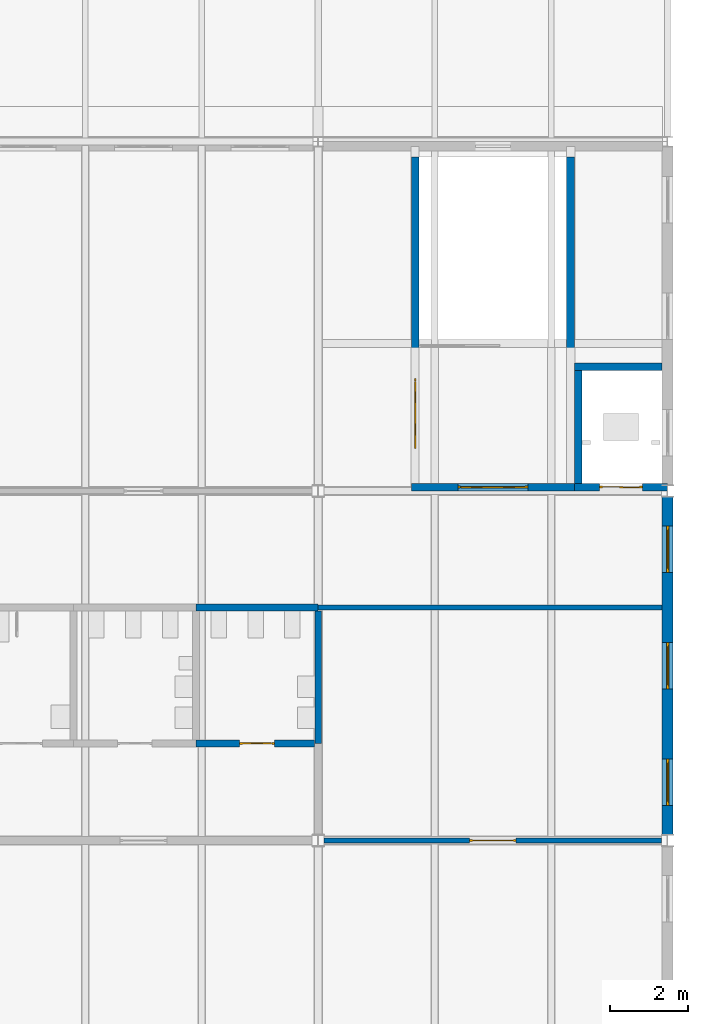
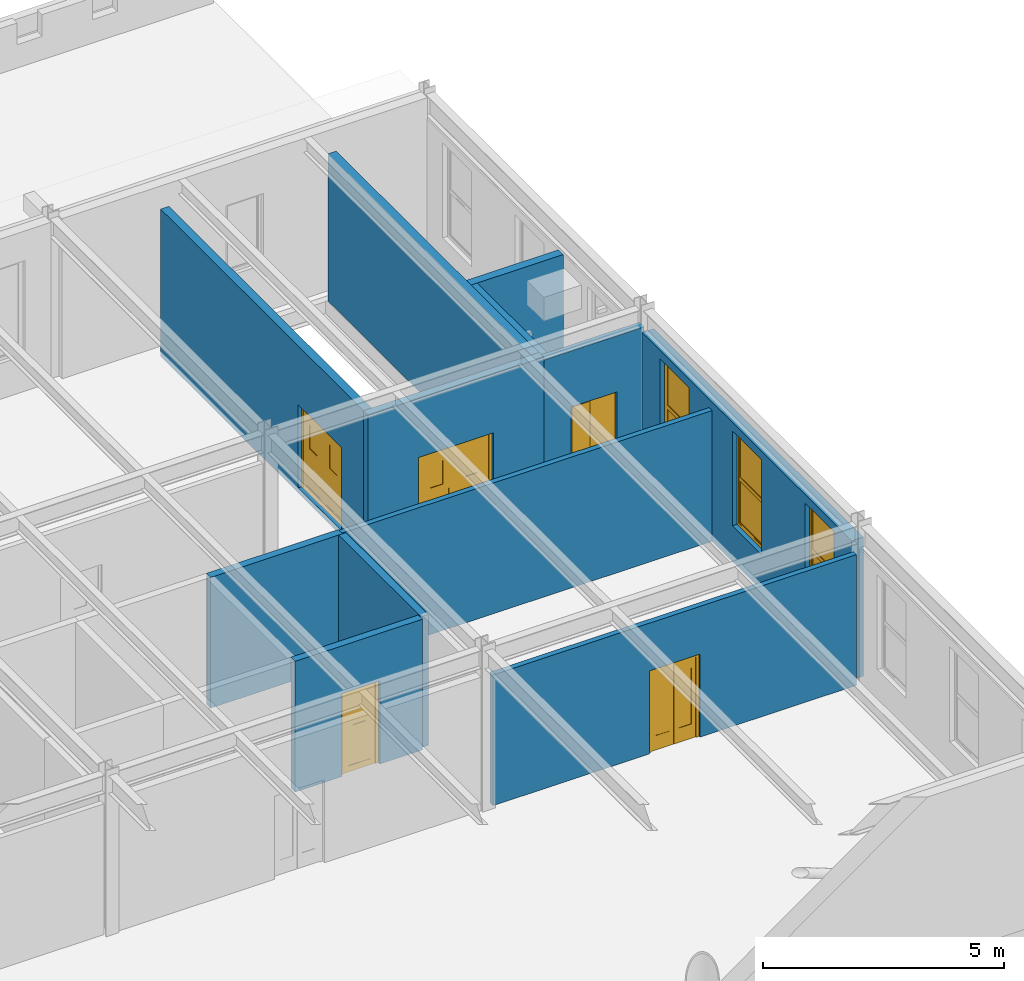
# One storey, part 83 of 123: 12 walls, 5 doors, 3 windows, 8 openings.
"""IFC4 building model written with IfcOpenShell, lengths in metres."""

from ifc_helpers import new_model, si_unit, direction, frame, frame_2d, origin, place, context, subcontext, project, spatial, polyline, rectangle, outline, extrude, material, layer, layer_set, type_object, element, fill, save


model = new_model("IFC4")

# Units and contexts
model_context = context("Model", 3, precision=1e-05, world=origin(), true_north=direction((0.0, 1.0)))
body_context = subcontext(model_context, "Body", "Model", "MODEL_VIEW")
ifc_project = project(units=[si_unit("LENGTHUNIT", "METRE"), si_unit("AREAUNIT", "SQUARE_METRE"), si_unit("VOLUMEUNIT", "CUBIC_METRE"), si_unit("PLANEANGLEUNIT", "RADIAN"), si_unit("MASSUNIT", "GRAM", prefix="KILO")], contexts=[model_context])

# Site, building, storey
site_placement = place(None, origin())
site = spatial("IfcSite", under=ifc_project, at=site_placement, CompositionType="ELEMENT")
building_placement = place(site_placement, origin())
building = spatial("IfcBuilding", under=site, at=building_placement, Name="Baradari Gate Terminus", CompositionType="ELEMENT")
storey_placement = place(building_placement, frame((0.0, 0.0, 7.5)))
storey = spatial("IfcBuildingStorey", under=building, at=storey_placement, Name="L01", CompositionType="ELEMENT", Elevation=7.5)

# Wall
ifc_material_1 = material(Name="Gypsum board")
ifc_layer_1 = layer(ifc_material_1, 0.125)
ifc_layer_set_1 = layer_set([ifc_layer_1], Name="Gypsum board")
wall_type_1 = type_object("IfcWallType", Name="Corridor partition PT-5 125 EI 30", PredefinedType="PARTITIONING", material=ifc_layer_set_1)
wall_1_placement = place(storey_placement, frame((242.85791015625, 96.0, 0.0), z_axis=(0.0, 0.0, 1.0), x_axis=(-1.0, 0.0, 0.0)))
element("IfcWall", 1, at=wall_1_placement, inside=storey, type_object=wall_type_1, Name="PT-5 partition Corridor (Service Corridor East) / Station Office 9", PredefinedType="PARTITIONING", context=body_context, shape_type="SweptSolid", body=[
    extrude(rectangle(XDim=8.85791015625, YDim=0.125, at=frame_2d((4.428955078125, 0.0))), origin(), (0.0, 0.0, 1.0), 3.306884765625),
])

# Wall, opening, door
wall_2_placement = place(storey_placement, frame((234.15380859375, 90.0, 0.0), z_axis=(0.0, 0.0, 1.0), x_axis=(1.0, 0.0, 0.0)))
wall_2 = element("IfcWall", 2, at=wall_2_placement, inside=storey, type_object=wall_type_1, Name="PT-5 partition Gallery / Station Office 9", PredefinedType="PARTITIONING", context=body_context, shape_type="SweptSolid", body=[
    extrude(rectangle(XDim=8.6923828125, YDim=0.125, at=frame_2d((4.34619140625, 0.0))), origin(), (0.0, 0.0, 1.0), 3.306884765625),
])
opening_1_placement = place(wall_2_placement, frame((3.746337890625, 0.0, 0.0)))
opening_1 = element("IfcOpeningElement", 3, at=opening_1_placement, cuts=wall_2, Name="Opening D01-051", PredefinedType="OPENING", context=body_context, shape_type="SweptSolid", body=[
    extrude(rectangle(XDim=1.199951171875, YDim=2.10009765625, at=frame_2d((0.60009765625, 1.050048828125))), frame((0.0, 0.072509765625, 0.0), z_axis=(0.0, -1.0, 0.0), x_axis=(1.0, 0.0, 0.0)), (0.0, 0.0, 1.0), 0.14501953125),
])
ifc_material_2 = material(Name="Steel S275", Category="steel")
door_type_1 = type_object("IfcDoorType", Name="Fire door FI-1200-FD30S 1200x2100 FD30S", OperationType="DOUBLE_DOOR_SINGLE_SWING", PredefinedType="DOOR", material=ifc_material_2)
door_1_placement = place(opening_1_placement, origin())
door_1 = element("IfcDoor", 4, at=door_1_placement, inside=storey, type_object=door_type_1, Name="Door Station Office 9", OperationType="DOUBLE_DOOR_SINGLE_SWING", OverallHeight=2.1, OverallWidth=1.2, PredefinedType="DOOR", context=body_context, shape_type="SweptSolid", body=[
    extrude(outline(polyline([(0.0, 0.0), (0.070068359375, 0.0), (0.070068359375, 2.030029296875), (1.1298828125, 2.030029296875), (1.1298828125, 0.0), (1.199951171875, 0.0), (1.199951171875, 2.10009765625), (0.0, 2.10009765625), (0.0, 0.0)])), frame((0.0, 0.02490234375, 0.0), z_axis=(0.0, -1.0, 0.0), x_axis=(1.0, 0.0, 0.0)), (0.0, 0.0, 1.0), 0.050048828125),
    extrude(outline(polyline([(0.073974609375, 0.010009765625), (0.596923828125, 0.010009765625), (0.596923828125, 2.026123046875), (0.073974609375, 2.026123046875), (0.073974609375, 0.010009765625)]), holes=[polyline([(0.178466796875, 0.372802734375), (0.492431640625, 0.372802734375), (0.492431640625, 1.7841796875), (0.178466796875, 1.7841796875), (0.178466796875, 0.372802734375)])]), frame((0.0, 0.017333984375, 0.0), z_axis=(0.0, -1.0, 0.0), x_axis=(1.0, 0.0, 0.0)), (0.0, 0.0, 1.0), 0.034912109375),
    extrude(rectangle(XDim=0.31396484375, YDim=1.411376953125, at=frame_2d((0.33544921875, 1.07861328125))), frame((0.0, 0.008544921875, 0.0), z_axis=(0.0, -1.0, 0.0), x_axis=(1.0, 0.0, 0.0)), (0.0, 0.0, 1.0), 0.017333984375),
    extrude(outline(polyline([(0.60302734375, 0.010009765625), (1.1259765625, 0.010009765625), (1.1259765625, 2.026123046875), (0.60302734375, 2.026123046875), (0.60302734375, 0.010009765625)]), holes=[polyline([(0.70751953125, 0.372802734375), (1.021484375, 0.372802734375), (1.021484375, 1.7841796875), (0.70751953125, 1.7841796875), (0.70751953125, 0.372802734375)])]), frame((0.0, 0.017333984375, 0.0), z_axis=(0.0, -1.0, 0.0), x_axis=(1.0, 0.0, 0.0)), (0.0, 0.0, 1.0), 0.034912109375),
    extrude(rectangle(XDim=0.31396484375, YDim=1.411376953125, at=frame_2d((0.864501953125, 1.07861328125))), frame((0.0, 0.008544921875, 0.0), z_axis=(0.0, -1.0, 0.0), x_axis=(1.0, 0.0, 0.0)), (0.0, 0.0, 1.0), 0.017333984375),
])
fill(opening_1, door_1)

# Wall, openings, windows
ifc_material_3 = material(Name="Concrete C40/50 precast", Category="concrete")
ifc_layer_2 = layer(ifc_material_3, 0.23)
ifc_material_4 = material(Name="Reconstituted stone", Category="masonry")
ifc_layer_3 = layer(ifc_material_4, 0.05)
ifc_layer_set_2 = layer_set([ifc_layer_2, ifc_layer_3], Name="Concrete C40/50 precast")
wall_type_2 = type_object("IfcWallType", Name="End wall WE-1 280", PredefinedType="SOLIDWALL", material=ifc_layer_set_2)
wall_3_placement = place(storey_placement, frame((243.0, 90.1572265625, 0.0), z_axis=(0.0, 0.0, 1.0), x_axis=(0.0, 1.0, 0.0)))
wall_3 = element("IfcWall", 5, at=wall_3_placement, inside=storey, type_object=wall_type_2, Name="east end wall HE bay 11 L01", PredefinedType="SOLIDWALL", context=body_context, shape_type="SweptSolid", body=[
    extrude(rectangle(XDim=8.685546875, YDim=0.280029296875, at=frame_2d((4.3427734375, 0.0))), origin(), (0.0, 0.0, 1.0), 3.516845703125),
])
opening_2_placement = place(wall_3_placement, frame((0.74267578125, 0.0, 0.89990234375)))
opening_2 = element("IfcOpeningElement", 6, at=opening_2_placement, cuts=wall_3, Name="Opening W12", PredefinedType="OPENING", context=body_context, shape_type="SweptSolid", body=[
    extrude(rectangle(XDim=1.199951171875, YDim=2.39990234375, at=frame_2d((0.60009765625, 1.199951171875))), frame((0.0, 0.14990234375, 0.0), z_axis=(0.0, -1.0, 0.0), x_axis=(1.0, 0.0, 0.0)), (0.0, 0.0, 1.0), 0.300048828125),
])
opening_3_placement = place(wall_3_placement, frame((3.74267578125, 0.0, 0.89990234375)))
opening_3 = element("IfcOpeningElement", 7, at=opening_3_placement, cuts=wall_3, Name="Opening W12", PredefinedType="OPENING", context=body_context, shape_type="SweptSolid", body=[
    extrude(rectangle(XDim=1.199951171875, YDim=2.39990234375, at=frame_2d((0.60009765625, 1.199951171875))), frame((0.0, 0.14990234375, 0.0), z_axis=(0.0, -1.0, 0.0), x_axis=(1.0, 0.0, 0.0)), (0.0, 0.0, 1.0), 0.300048828125),
])
opening_4_placement = place(wall_3_placement, frame((6.74267578125, 0.0, 0.89990234375)))
opening_4 = element("IfcOpeningElement", 8, at=opening_4_placement, cuts=wall_3, Name="Opening W12", PredefinedType="OPENING", context=body_context, shape_type="SweptSolid", body=[
    extrude(rectangle(XDim=1.199951171875, YDim=2.39990234375, at=frame_2d((0.60009765625, 1.199951171875))), frame((0.0, 0.14990234375, 0.0), z_axis=(0.0, -1.0, 0.0), x_axis=(1.0, 0.0, 0.0)), (0.0, 0.0, 1.0), 0.300048828125),
])
ifc_material_5 = material(Name="Aluminium 6063-T6", Category="aluminium")
window_type = type_object("IfcWindowType", Name="End-wall window W12 1200x2400", PartitioningType="DOUBLE_PANEL_HORIZONTAL", PredefinedType="WINDOW", material=ifc_material_5)
window_1_placement = place(opening_2_placement, origin())
window_1 = element("IfcWindow", 9, at=window_1_placement, inside=storey, type_object=window_type, Name="Window W12 HE/10", OverallHeight=2.4, OverallWidth=1.2, PartitioningType="DOUBLE_PANEL_HORIZONTAL", PredefinedType="WINDOW", context=body_context, shape_type="SweptSolid", body=[
    extrude(outline(polyline([(0.0, 0.0), (1.199951171875, 0.0), (1.199951171875, 2.39990234375), (0.0, 2.39990234375), (0.0, 0.0)]), holes=[polyline([(0.070068359375, 0.070068359375), (1.1298828125, 0.070068359375), (1.1298828125, 2.329833984375), (0.070068359375, 2.329833984375), (0.070068359375, 0.070068359375)])]), frame((0.0, 0.030029296875, 0.0), z_axis=(0.0, -1.0, 0.0), x_axis=(1.0, 0.0, 0.0)), (0.0, 0.0, 1.0), 0.06005859375),
    extrude(rectangle(XDim=1.059814453125, YDim=0.0400390625, at=frame_2d((0.60009765625, 1.199951171875))), frame((0.0, 0.021484375, 0.0), z_axis=(0.0, -1.0, 0.0), x_axis=(1.0, 0.0, 0.0)), (0.0, 0.0, 1.0), 0.04296875),
    extrude(outline(polyline([(0.070068359375, 0.070068359375), (1.1298828125, 0.070068359375), (1.1298828125, 1.179931640625), (0.070068359375, 1.179931640625), (0.070068359375, 0.070068359375)]), holes=[polyline([(0.10009765625, 0.10009765625), (1.099853515625, 0.10009765625), (1.099853515625, 1.14990234375), (0.10009765625, 1.14990234375), (0.10009765625, 0.10009765625)])]), frame((0.0, 0.0224609375, 0.0), z_axis=(0.0, -1.0, 0.0), x_axis=(1.0, 0.0, 0.0)), (0.0, 0.0, 1.0), 0.044921875),
    extrude(rectangle(XDim=0.999755859375, YDim=1.0498046875, at=frame_2d((0.60009765625, 0.625))), frame((0.0, 0.006103515625, 0.0), z_axis=(0.0, -1.0, 0.0), x_axis=(1.0, 0.0, 0.0)), (0.0, 0.0, 1.0), 0.01220703125),
    extrude(outline(polyline([(0.070068359375, 1.219970703125), (1.1298828125, 1.219970703125), (1.1298828125, 2.329833984375), (0.070068359375, 2.329833984375), (0.070068359375, 1.219970703125)]), holes=[polyline([(0.10009765625, 1.25), (1.099853515625, 1.25), (1.099853515625, 2.2998046875), (0.10009765625, 2.2998046875), (0.10009765625, 1.25)])]), frame((0.0, 0.0224609375, 0.0), z_axis=(0.0, -1.0, 0.0), x_axis=(1.0, 0.0, 0.0)), (0.0, 0.0, 1.0), 0.044921875),
    extrude(rectangle(XDim=0.999755859375, YDim=1.0498046875, at=frame_2d((0.60009765625, 1.77490234375))), frame((0.0, 0.006103515625, 0.0), z_axis=(0.0, -1.0, 0.0), x_axis=(1.0, 0.0, 0.0)), (0.0, 0.0, 1.0), 0.01220703125),
])
fill(opening_2, window_1)
window_2_placement = place(opening_3_placement, origin())
window_2 = element("IfcWindow", 10, at=window_2_placement, inside=storey, type_object=window_type, Name="Window W12 HE/10", OverallHeight=2.4, OverallWidth=1.2, PartitioningType="DOUBLE_PANEL_HORIZONTAL", PredefinedType="WINDOW", context=body_context, shape_type="SweptSolid", body=[
    extrude(outline(polyline([(0.0, 0.0), (1.199951171875, 0.0), (1.199951171875, 2.39990234375), (0.0, 2.39990234375), (0.0, 0.0)]), holes=[polyline([(0.070068359375, 0.070068359375), (1.1298828125, 0.070068359375), (1.1298828125, 2.329833984375), (0.070068359375, 2.329833984375), (0.070068359375, 0.070068359375)])]), frame((0.0, 0.030029296875, 0.0), z_axis=(0.0, -1.0, 0.0), x_axis=(1.0, 0.0, 0.0)), (0.0, 0.0, 1.0), 0.06005859375),
    extrude(rectangle(XDim=1.059814453125, YDim=0.0400390625, at=frame_2d((0.60009765625, 1.199951171875))), frame((0.0, 0.021484375, 0.0), z_axis=(0.0, -1.0, 0.0), x_axis=(1.0, 0.0, 0.0)), (0.0, 0.0, 1.0), 0.04296875),
    extrude(outline(polyline([(0.070068359375, 0.070068359375), (1.1298828125, 0.070068359375), (1.1298828125, 1.179931640625), (0.070068359375, 1.179931640625), (0.070068359375, 0.070068359375)]), holes=[polyline([(0.10009765625, 0.10009765625), (1.099853515625, 0.10009765625), (1.099853515625, 1.14990234375), (0.10009765625, 1.14990234375), (0.10009765625, 0.10009765625)])]), frame((0.0, 0.0224609375, 0.0), z_axis=(0.0, -1.0, 0.0), x_axis=(1.0, 0.0, 0.0)), (0.0, 0.0, 1.0), 0.044921875),
    extrude(rectangle(XDim=0.999755859375, YDim=1.0498046875, at=frame_2d((0.60009765625, 0.625))), frame((0.0, 0.006103515625, 0.0), z_axis=(0.0, -1.0, 0.0), x_axis=(1.0, 0.0, 0.0)), (0.0, 0.0, 1.0), 0.01220703125),
    extrude(outline(polyline([(0.070068359375, 1.219970703125), (1.1298828125, 1.219970703125), (1.1298828125, 2.329833984375), (0.070068359375, 2.329833984375), (0.070068359375, 1.219970703125)]), holes=[polyline([(0.10009765625, 1.25), (1.099853515625, 1.25), (1.099853515625, 2.2998046875), (0.10009765625, 2.2998046875), (0.10009765625, 1.25)])]), frame((0.0, 0.0224609375, 0.0), z_axis=(0.0, -1.0, 0.0), x_axis=(1.0, 0.0, 0.0)), (0.0, 0.0, 1.0), 0.044921875),
    extrude(rectangle(XDim=0.999755859375, YDim=1.0498046875, at=frame_2d((0.60009765625, 1.77490234375))), frame((0.0, 0.006103515625, 0.0), z_axis=(0.0, -1.0, 0.0), x_axis=(1.0, 0.0, 0.0)), (0.0, 0.0, 1.0), 0.01220703125),
])
fill(opening_3, window_2)
window_3_placement = place(opening_4_placement, origin())
window_3 = element("IfcWindow", 11, at=window_3_placement, inside=storey, type_object=window_type, Name="Window W12 HE/10", OverallHeight=2.4, OverallWidth=1.2, PartitioningType="DOUBLE_PANEL_HORIZONTAL", PredefinedType="WINDOW", context=body_context, shape_type="SweptSolid", body=[
    extrude(outline(polyline([(0.0, 0.0), (1.199951171875, 0.0), (1.199951171875, 2.39990234375), (0.0, 2.39990234375), (0.0, 0.0)]), holes=[polyline([(0.070068359375, 0.070068359375), (1.1298828125, 0.070068359375), (1.1298828125, 2.329833984375), (0.070068359375, 2.329833984375), (0.070068359375, 0.070068359375)])]), frame((0.0, 0.030029296875, 0.0), z_axis=(0.0, -1.0, 0.0), x_axis=(1.0, 0.0, 0.0)), (0.0, 0.0, 1.0), 0.06005859375),
    extrude(rectangle(XDim=1.059814453125, YDim=0.0400390625, at=frame_2d((0.60009765625, 1.199951171875))), frame((0.0, 0.021484375, 0.0), z_axis=(0.0, -1.0, 0.0), x_axis=(1.0, 0.0, 0.0)), (0.0, 0.0, 1.0), 0.04296875),
    extrude(outline(polyline([(0.070068359375, 0.070068359375), (1.1298828125, 0.070068359375), (1.1298828125, 1.179931640625), (0.070068359375, 1.179931640625), (0.070068359375, 0.070068359375)]), holes=[polyline([(0.10009765625, 0.10009765625), (1.099853515625, 0.10009765625), (1.099853515625, 1.14990234375), (0.10009765625, 1.14990234375), (0.10009765625, 0.10009765625)])]), frame((0.0, 0.0224609375, 0.0), z_axis=(0.0, -1.0, 0.0), x_axis=(1.0, 0.0, 0.0)), (0.0, 0.0, 1.0), 0.044921875),
    extrude(rectangle(XDim=0.999755859375, YDim=1.0498046875, at=frame_2d((0.60009765625, 0.625))), frame((0.0, 0.006103515625, 0.0), z_axis=(0.0, -1.0, 0.0), x_axis=(1.0, 0.0, 0.0)), (0.0, 0.0, 1.0), 0.01220703125),
    extrude(outline(polyline([(0.070068359375, 1.219970703125), (1.1298828125, 1.219970703125), (1.1298828125, 2.329833984375), (0.070068359375, 2.329833984375), (0.070068359375, 1.219970703125)]), holes=[polyline([(0.10009765625, 1.25), (1.099853515625, 1.25), (1.099853515625, 2.2998046875), (0.10009765625, 2.2998046875), (0.10009765625, 1.25)])]), frame((0.0, 0.0224609375, 0.0), z_axis=(0.0, -1.0, 0.0), x_axis=(1.0, 0.0, 0.0)), (0.0, 0.0, 1.0), 0.044921875),
    extrude(rectangle(XDim=0.999755859375, YDim=1.0498046875, at=frame_2d((0.60009765625, 1.77490234375))), frame((0.0, 0.006103515625, 0.0), z_axis=(0.0, -1.0, 0.0), x_axis=(1.0, 0.0, 0.0)), (0.0, 0.0, 1.0), 0.01220703125),
])
fill(opening_4, window_3)

# Wall, opening, door
ifc_material_6 = material(Name="Blockwork wall, fire rated", Category="masonry")
ifc_layer_4 = layer(ifc_material_6, 0.199951171875)
ifc_layer_set_3 = layer_set([ifc_layer_4], Name="Blockwork wall, fire rated")
wall_type_3 = type_object("IfcWallType", Name="Lift shaft wall SH-1 200 EI 120", PredefinedType="SOLIDWALL", material=ifc_layer_set_3)
wall_4_placement = place(storey_placement, frame((240.60205078125, 99.10009765625, 0.0), z_axis=(0.0, 0.0, 1.0), x_axis=(1.0, 0.0, 0.0)))
wall_4 = element("IfcWall", 12, at=wall_4_placement, inside=storey, type_object=wall_type_3, Name="Lift shaft wall LH4 L01 S", PredefinedType="SOLIDWALL", context=body_context, shape_type="SweptSolid", body=[
    extrude(rectangle(XDim=2.39794921875, YDim=0.199951171875, at=frame_2d((1.198974609375, 0.0))), origin(), (0.0, 0.0, 1.0), 3.51611328125),
])
opening_5_placement = place(wall_4_placement, frame((0.64794921875, 0.0, 0.0)))
opening_5 = element("IfcOpeningElement", 13, at=opening_5_placement, cuts=wall_4, Name="Opening D01-008", PredefinedType="OPENING", context=body_context, shape_type="SweptSolid", body=[
    extrude(rectangle(XDim=1.10009765625, YDim=2.10009765625, at=frame_2d((0.550048828125, 1.050048828125))), frame((0.0, 0.10986328125, 0.0), z_axis=(0.0, -1.0, 0.0), x_axis=(1.0, 0.0, 0.0)), (0.0, 0.0, 1.0), 0.219970703125),
])
ifc_material_7 = material(Name="Stainless steel 1.4301", Category="steel")
door_type_2 = type_object("IfcDoorType", Name="Lift landing door LD 1100x2100 E 120", OperationType="SLIDING_TO_LEFT", PredefinedType="DOOR", material=ifc_material_7)
door_2_placement = place(opening_5_placement, origin())
door_2 = element("IfcDoor", 14, at=door_2_placement, inside=storey, type_object=door_type_2, Name="Lift landing door LH4 L01", OperationType="SLIDING_TO_LEFT", OverallHeight=2.1, OverallWidth=1.1, PredefinedType="DOOR", context=body_context, shape_type="SweptSolid", body=[
    extrude(outline(polyline([(0.0, 0.0), (0.070068359375, 0.0), (0.070068359375, 2.030029296875), (1.030029296875, 2.030029296875), (1.030029296875, 0.0), (1.10009765625, 0.0), (1.10009765625, 2.10009765625), (0.0, 2.10009765625), (0.0, 0.0)])), frame((0.0, 0.02490234375, 0.0), z_axis=(0.0, -1.0, 0.0), x_axis=(1.0, 0.0, 0.0)), (0.0, 0.0, 1.0), 0.050048828125),
    extrude(rectangle(XDim=0.523681640625, YDim=2.01611328125, at=frame_2d((0.3359375, 1.01806640625))), frame((0.0, 0.017822265625, 0.0), z_axis=(0.0, -1.0, 0.0), x_axis=(1.0, 0.0, 0.0)), (0.0, 0.0, 1.0), 0.015869140625),
    extrude(rectangle(XDim=0.519775390625, YDim=2.01611328125, at=frame_2d((0.76611328125, 1.01806640625))), frame((0.0, -0.002197265625, 0.0), z_axis=(0.0, -1.0, 0.0), x_axis=(1.0, 0.0, 0.0)), (0.0, 0.0, 1.0), 0.015869140625),
])
fill(opening_5, door_2)

# Walls
wall_5_placement = place(storey_placement, frame((240.60205078125, 102.199951171875, 0.0), z_axis=(0.0, 0.0, 1.0), x_axis=(1.0, 0.0, 0.0)))
element("IfcWall", 15, at=wall_5_placement, inside=storey, type_object=wall_type_3, Name="Lift shaft wall LH4 L01 N", PredefinedType="SOLIDWALL", context=body_context, shape_type="SweptSolid", body=[
    extrude(rectangle(XDim=2.255859375, YDim=0.199951171875, at=frame_2d((1.1279296875, 0.0))), origin(), (0.0, 0.0, 1.0), 3.51611328125),
])
wall_6_placement = place(storey_placement, frame((240.699951171875, 99.199951171875, 0.0), z_axis=(0.0, 0.0, 1.0), x_axis=(0.0, 1.0, 0.0)))
element("IfcWall", 16, at=wall_6_placement, inside=storey, type_object=wall_type_3, Name="Lift shaft wall LH4 L01 W", PredefinedType="SOLIDWALL", context=body_context, shape_type="SweptSolid", body=[
    extrude(rectangle(XDim=2.900146484375, YDim=0.199951171875, at=frame_2d((1.4501953125, 0.0))), origin(), (0.0, 0.0, 1.0), 3.51611328125),
])

# Wall, opening, door
ifc_material_8 = material(Name="Concrete C40/50", Category="concrete")
ifc_layer_5 = layer(ifc_material_8, 0.199951171875)
ifc_layer_set_4 = layer_set([ifc_layer_5], Name="Concrete C40/50")
wall_type_4 = type_object("IfcWallType", Name="Stair enclosure wall SE-5 200 EI 120", PredefinedType="SOLIDWALL", material=ifc_layer_set_4)
wall_7_placement = place(storey_placement, frame((236.39990234375, 99.10009765625, -0.1298828125), z_axis=(0.0, 0.0, 1.0), x_axis=(1.0, 0.0, 0.0)))
wall_7 = element("IfcWall", 17, at=wall_7_placement, inside=storey, type_object=wall_type_4, Name="Stair enclosure wall SE-5 ST-H4 L01 S", PredefinedType="SOLIDWALL", context=body_context, shape_type="SweptSolid", body=[
    extrude(rectangle(XDim=4.2001953125, YDim=0.199951171875, at=frame_2d((2.10009765625, 0.0))), origin(), (0.0, 0.0, 1.0), 3.719970703125),
])
opening_6_placement = place(wall_7_placement, frame((1.199951171875, 0.0, 0.1298828125)))
opening_6 = element("IfcOpeningElement", 18, at=opening_6_placement, cuts=wall_7, Name="Opening D01-068", PredefinedType="OPENING", context=body_context, shape_type="SweptSolid", body=[
    extrude(rectangle(XDim=1.800048828125, YDim=2.10009765625, at=frame_2d((0.89990234375, 1.050048828125))), frame((0.0, 0.10986328125, 0.0), z_axis=(0.0, -1.0, 0.0), x_axis=(1.0, 0.0, 0.0)), (0.0, 0.0, 1.0), 0.219970703125),
])
ifc_material_9 = material(Name="Steel S275", Category="steel")
door_type_3 = type_object("IfcDoorType", Name="Fire door FI-1800-FD90S 1800x2100 FD90S", OperationType="DOUBLE_DOOR_SINGLE_SWING", PredefinedType="DOOR", material=ifc_material_9)
door_3_placement = place(opening_6_placement, origin())
door_3 = element("IfcDoor", 19, at=door_3_placement, inside=storey, type_object=door_type_3, Name="Door Stair (Head-house) 4", OperationType="DOUBLE_DOOR_SINGLE_SWING", OverallHeight=2.1, OverallWidth=1.8, PredefinedType="DOOR", context=body_context, shape_type="SweptSolid", body=[
    extrude(outline(polyline([(0.0, 0.0), (0.070068359375, 0.0), (0.070068359375, 2.030029296875), (1.72998046875, 2.030029296875), (1.72998046875, 0.0), (1.800048828125, 0.0), (1.800048828125, 2.10009765625), (0.0, 2.10009765625), (0.0, 0.0)])), frame((0.0, 0.02490234375, 0.0), z_axis=(0.0, -1.0, 0.0), x_axis=(1.0, 0.0, 0.0)), (0.0, 0.0, 1.0), 0.050048828125),
    extrude(outline(polyline([(0.073974609375, 0.010009765625), (0.89697265625, 0.010009765625), (0.89697265625, 2.026123046875), (0.073974609375, 2.026123046875), (0.073974609375, 0.010009765625)]), holes=[polyline([(0.194091796875, 0.159912109375), (0.77685546875, 0.159912109375), (0.77685546875, 1.010009765625), (0.194091796875, 1.010009765625), (0.194091796875, 0.159912109375)]), polyline([(0.33544921875, 1.159912109375), (0.635498046875, 1.159912109375), (0.635498046875, 1.760009765625), (0.33544921875, 1.760009765625), (0.33544921875, 1.159912109375)])]), frame((0.0, 0.017333984375, 0.0), z_axis=(0.0, -1.0, 0.0), x_axis=(1.0, 0.0, 0.0)), (0.0, 0.0, 1.0), 0.034912109375),
    extrude(rectangle(XDim=0.582763671875, YDim=0.85009765625, at=frame_2d((0.4853515625, 0.5849609375))), frame((0.0, 0.008544921875, 0.0), z_axis=(0.0, -1.0, 0.0), x_axis=(1.0, 0.0, 0.0)), (0.0, 0.0, 1.0), 0.017333984375),
    extrude(rectangle(XDim=0.300048828125, YDim=0.60009765625, at=frame_2d((0.4853515625, 1.4599609375))), frame((0.0, 0.005859375, 0.0), z_axis=(0.0, -1.0, 0.0), x_axis=(1.0, 0.0, 0.0)), (0.0, 0.0, 1.0), 0.011962890625),
    extrude(outline(polyline([(0.903076171875, 0.010009765625), (1.72607421875, 0.010009765625), (1.72607421875, 2.026123046875), (0.903076171875, 2.026123046875), (0.903076171875, 0.010009765625)]), holes=[polyline([(1.023193359375, 0.159912109375), (1.60595703125, 0.159912109375), (1.60595703125, 1.010009765625), (1.023193359375, 1.010009765625), (1.023193359375, 0.159912109375)]), polyline([(1.16455078125, 1.159912109375), (1.464599609375, 1.159912109375), (1.464599609375, 1.760009765625), (1.16455078125, 1.760009765625), (1.16455078125, 1.159912109375)])]), frame((0.0, 0.017333984375, 0.0), z_axis=(0.0, -1.0, 0.0), x_axis=(1.0, 0.0, 0.0)), (0.0, 0.0, 1.0), 0.034912109375),
    extrude(rectangle(XDim=0.582763671875, YDim=0.85009765625, at=frame_2d((1.314453125, 0.5849609375))), frame((0.0, 0.008544921875, 0.0), z_axis=(0.0, -1.0, 0.0), x_axis=(1.0, 0.0, 0.0)), (0.0, 0.0, 1.0), 0.017333984375),
    extrude(rectangle(XDim=0.300048828125, YDim=0.60009765625, at=frame_2d((1.314453125, 1.4599609375))), frame((0.0, 0.005859375, 0.0), z_axis=(0.0, -1.0, 0.0), x_axis=(1.0, 0.0, 0.0)), (0.0, 0.0, 1.0), 0.011962890625),
])
fill(opening_6, door_3)

wall_8_placement = place(storey_placement, frame((236.5, 99.199951171875, -0.1298828125), z_axis=(0.0, 0.0, 1.0), x_axis=(0.0, 1.0, 0.0)))
wall_8 = element("IfcWall", 20, at=wall_8_placement, inside=storey, type_object=wall_type_4, Name="Stair enclosure wall SE-5 ST-H4 L01 W", PredefinedType="SOLIDWALL", context=body_context, shape_type="SweptSolid", body=[
    extrude(rectangle(XDim=8.400146484375, YDim=0.199951171875, at=frame_2d((4.2001953125, 0.0))), origin(), (0.0, 0.0, 1.0), 3.719970703125),
])
opening_7_placement = place(wall_8_placement, frame((0.89990234375, 0.0, 0.1298828125)))
opening_7 = element("IfcOpeningElement", 21, at=opening_7_placement, cuts=wall_8, Name="Opening D01-067", PredefinedType="OPENING", context=body_context, shape_type="SweptSolid", body=[
    extrude(rectangle(XDim=1.800048828125, YDim=2.10009765625, at=frame_2d((0.89990234375, 1.050048828125))), frame((0.0, 0.10986328125, 0.0), z_axis=(0.0, -1.0, 0.0), x_axis=(1.0, 0.0, 0.0)), (0.0, 0.0, 1.0), 0.219970703125),
])
door_4_placement = place(opening_7_placement, frame((1.800048828125, 0.0, 0.0), z_axis=(0.0, 0.0, 1.0), x_axis=(-1.0, 0.0, 0.0)))
door_4 = element("IfcDoor", 22, at=door_4_placement, inside=storey, type_object=door_type_3, Name="Door Stair (Head-house) 4", OperationType="DOUBLE_DOOR_SINGLE_SWING", OverallHeight=2.1, OverallWidth=1.8, PredefinedType="DOOR", context=body_context, shape_type="SweptSolid", body=[
    extrude(outline(polyline([(0.0, 0.0), (0.070068359375, 0.0), (0.070068359375, 2.030029296875), (1.72998046875, 2.030029296875), (1.72998046875, 0.0), (1.800048828125, 0.0), (1.800048828125, 2.10009765625), (0.0, 2.10009765625), (0.0, 0.0)])), frame((0.0, 0.02490234375, 0.0), z_axis=(0.0, -1.0, 0.0), x_axis=(1.0, 0.0, 0.0)), (0.0, 0.0, 1.0), 0.050048828125),
    extrude(outline(polyline([(0.073974609375, 0.010009765625), (0.89697265625, 0.010009765625), (0.89697265625, 2.026123046875), (0.073974609375, 2.026123046875), (0.073974609375, 0.010009765625)]), holes=[polyline([(0.194091796875, 0.159912109375), (0.77685546875, 0.159912109375), (0.77685546875, 1.010009765625), (0.194091796875, 1.010009765625), (0.194091796875, 0.159912109375)]), polyline([(0.33544921875, 1.159912109375), (0.635498046875, 1.159912109375), (0.635498046875, 1.760009765625), (0.33544921875, 1.760009765625), (0.33544921875, 1.159912109375)])]), frame((0.0, 0.017333984375, 0.0), z_axis=(0.0, -1.0, 0.0), x_axis=(1.0, 0.0, 0.0)), (0.0, 0.0, 1.0), 0.034912109375),
    extrude(rectangle(XDim=0.582763671875, YDim=0.85009765625, at=frame_2d((0.4853515625, 0.5849609375))), frame((0.0, 0.008544921875, 0.0), z_axis=(0.0, -1.0, 0.0), x_axis=(1.0, 0.0, 0.0)), (0.0, 0.0, 1.0), 0.017333984375),
    extrude(rectangle(XDim=0.300048828125, YDim=0.60009765625, at=frame_2d((0.4853515625, 1.4599609375))), frame((0.0, 0.005859375, 0.0), z_axis=(0.0, -1.0, 0.0), x_axis=(1.0, 0.0, 0.0)), (0.0, 0.0, 1.0), 0.011962890625),
    extrude(outline(polyline([(0.903076171875, 0.010009765625), (1.72607421875, 0.010009765625), (1.72607421875, 2.026123046875), (0.903076171875, 2.026123046875), (0.903076171875, 0.010009765625)]), holes=[polyline([(1.023193359375, 0.159912109375), (1.60595703125, 0.159912109375), (1.60595703125, 1.010009765625), (1.023193359375, 1.010009765625), (1.023193359375, 0.159912109375)]), polyline([(1.16455078125, 1.159912109375), (1.464599609375, 1.159912109375), (1.464599609375, 1.760009765625), (1.16455078125, 1.760009765625), (1.16455078125, 1.159912109375)])]), frame((0.0, 0.017333984375, 0.0), z_axis=(0.0, -1.0, 0.0), x_axis=(1.0, 0.0, 0.0)), (0.0, 0.0, 1.0), 0.034912109375),
    extrude(rectangle(XDim=0.582763671875, YDim=0.85009765625, at=frame_2d((1.314453125, 0.5849609375))), frame((0.0, 0.008544921875, 0.0), z_axis=(0.0, -1.0, 0.0), x_axis=(1.0, 0.0, 0.0)), (0.0, 0.0, 1.0), 0.017333984375),
    extrude(rectangle(XDim=0.300048828125, YDim=0.60009765625, at=frame_2d((1.314453125, 1.4599609375))), frame((0.0, 0.005859375, 0.0), z_axis=(0.0, -1.0, 0.0), x_axis=(1.0, 0.0, 0.0)), (0.0, 0.0, 1.0), 0.011962890625),
])
fill(opening_7, door_4)

# Walls
wall_9_placement = place(storey_placement, frame((240.5, 99.199951171875, -0.1298828125), z_axis=(0.0, 0.0, 1.0), x_axis=(0.0, 1.0, 0.0)))
element("IfcWall", 23, at=wall_9_placement, inside=storey, type_object=wall_type_4, Name="Stair enclosure wall SE-5 ST-H4 L01 E", PredefinedType="SOLIDWALL", context=body_context, shape_type="SweptSolid", body=[
    extrude(rectangle(XDim=8.400146484375, YDim=0.199951171875, at=frame_2d((4.2001953125, 0.0))), origin(), (0.0, 0.0, 1.0), 3.719970703125),
])
ifc_material_10 = material(Name="Blockwork wall, tiled both faces", Category="masonry")
ifc_layer_6 = layer(ifc_material_10, 0.175048828125)
ifc_layer_set_5 = layer_set([ifc_layer_6], Name="Blockwork wall, tiled both faces")
wall_type_5 = type_object("IfcWallType", Name="WC wet wall PT-6 175 EI 60", PredefinedType="PARTITIONING", material=ifc_layer_set_5)
wall_10_placement = place(storey_placement, frame((234.0, 96.0, 0.0), z_axis=(0.0, 0.0, 1.0), x_axis=(-1.0, 0.0, 0.0)))
element("IfcWall", 24, at=wall_10_placement, inside=storey, type_object=wall_type_5, Name="PT-6 partition Corridor (Service Corridor East) / Female WC", PredefinedType="PARTITIONING", context=body_context, shape_type="SweptSolid", body=[
    extrude(rectangle(XDim=3.14990234375, YDim=0.175048828125, at=frame_2d((1.574951171875, 0.0))), origin(), (0.0, 0.0, 1.0), 3.306884765625),
])

# Wall, opening, door
wall_11_placement = place(storey_placement, frame((230.85009765625, 92.5, 0.0), z_axis=(0.0, 0.0, 1.0), x_axis=(1.0, 0.0, 0.0)))
wall_11 = element("IfcWall", 25, at=wall_11_placement, inside=storey, type_object=wall_type_5, Name="PT-6 partition WC Lobby / Female WC", PredefinedType="PARTITIONING", context=body_context, shape_type="SweptSolid", body=[
    extrude(rectangle(XDim=3.0498046875, YDim=0.175048828125, at=frame_2d((1.52490234375, 0.0))), origin(), (0.0, 0.0, 1.0), 3.306884765625),
])
opening_8_placement = place(wall_11_placement, frame((1.125, 0.0, 0.0)))
opening_8 = element("IfcOpeningElement", 26, at=opening_8_placement, cuts=wall_11, Name="Opening D01-050", PredefinedType="OPENING", context=body_context, shape_type="SweptSolid", body=[
    extrude(rectangle(XDim=0.89990234375, YDim=2.10009765625, at=frame_2d((0.449951171875, 1.050048828125))), frame((0.0, 0.097412109375, 0.0), z_axis=(0.0, -1.0, 0.0), x_axis=(1.0, 0.0, 0.0)), (0.0, 0.0, 1.0), 0.195068359375),
])
ifc_material_11 = material(Name="Steel S275", Category="steel")
door_type_4 = type_object("IfcDoorType", Name="Fire door FI-900-FD60S 900x2100 FD60S", OperationType="SINGLE_SWING_LEFT", PredefinedType="DOOR", material=ifc_material_11)
door_5_placement = place(opening_8_placement, origin())
door_5 = element("IfcDoor", 27, at=door_5_placement, inside=storey, type_object=door_type_4, Name="Door Female WC", OperationType="SINGLE_SWING_LEFT", OverallHeight=2.1, OverallWidth=0.9, PredefinedType="DOOR", context=body_context, shape_type="SweptSolid", body=[
    extrude(outline(polyline([(0.0, 0.0), (0.070068359375, 0.0), (0.070068359375, 2.030029296875), (0.829833984375, 2.030029296875), (0.829833984375, 0.0), (0.89990234375, 0.0), (0.89990234375, 2.10009765625), (0.0, 2.10009765625), (0.0, 0.0)])), frame((0.0, 0.02490234375, 0.0), z_axis=(0.0, -1.0, 0.0), x_axis=(1.0, 0.0, 0.0)), (0.0, 0.0, 1.0), 0.050048828125),
    extrude(outline(polyline([(0.073974609375, 0.010009765625), (0.825927734375, 0.010009765625), (0.825927734375, 2.026123046875), (0.073974609375, 2.026123046875), (0.073974609375, 0.010009765625)]), holes=[polyline([(0.194091796875, 0.159912109375), (0.705810546875, 0.159912109375), (0.705810546875, 1.010009765625), (0.194091796875, 1.010009765625), (0.194091796875, 0.159912109375)]), polyline([(0.300048828125, 1.159912109375), (0.599853515625, 1.159912109375), (0.599853515625, 1.760009765625), (0.300048828125, 1.760009765625), (0.300048828125, 1.159912109375)])]), frame((0.0, 0.017333984375, 0.0), z_axis=(0.0, -1.0, 0.0), x_axis=(1.0, 0.0, 0.0)), (0.0, 0.0, 1.0), 0.034912109375),
    extrude(rectangle(XDim=0.51171875, YDim=0.85009765625, at=frame_2d((0.449951171875, 0.5849609375))), frame((0.0, 0.008544921875, 0.0), z_axis=(0.0, -1.0, 0.0), x_axis=(1.0, 0.0, 0.0)), (0.0, 0.0, 1.0), 0.017333984375),
    extrude(rectangle(XDim=0.2998046875, YDim=0.60009765625, at=frame_2d((0.449951171875, 1.4599609375))), frame((0.0, 0.005859375, 0.0), z_axis=(0.0, -1.0, 0.0), x_axis=(1.0, 0.0, 0.0)), (0.0, 0.0, 1.0), 0.011962890625),
])
fill(opening_8, door_5)

# Wall
wall_12_placement = place(storey_placement, frame((234.0, 95.91259765625, 0.0), z_axis=(0.0, 0.0, 1.0), x_axis=(0.0, -1.0, 0.0)))
element("IfcWall", 28, at=wall_12_placement, inside=storey, type_object=wall_type_5, Name="PT-6 partition Female WC / Station Office 9", PredefinedType="PARTITIONING", context=body_context, shape_type="SweptSolid", body=[
    extrude(rectangle(XDim=3.41259765625, YDim=0.175048828125, at=frame_2d((1.706298828125, 0.0))), origin(), (0.0, 0.0, 1.0), 3.306884765625),
])

save(model, "model.ifc")
